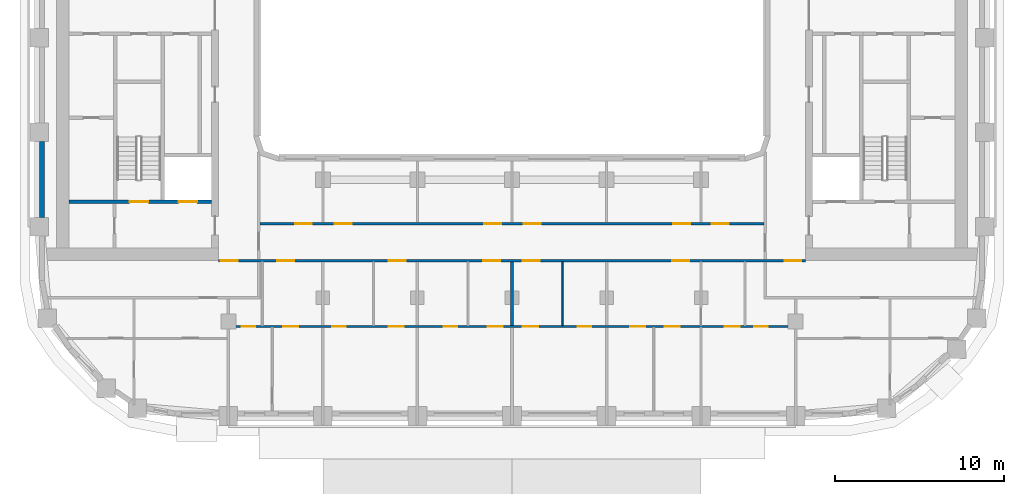
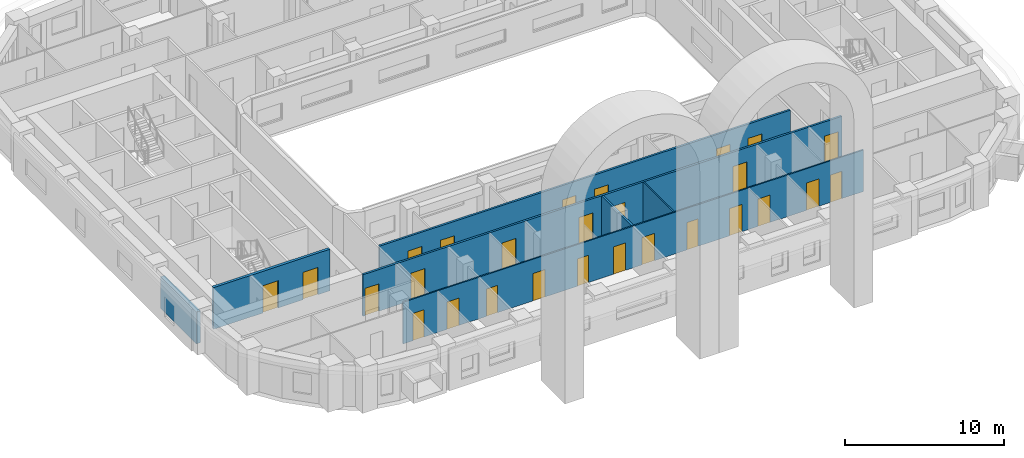
# One storey, part 3 of 18: 27 doors, 7 walls, 27 openings.
"""IFC4 building model written with IfcOpenShell, lengths in metres."""

from ifc_helpers import new_model, si_unit, direction, frame, frame_2d, origin, place, context, subcontext, project, spatial, rectangle, extrude, material, layer, layer_set, type_object, element, fill, save


model = new_model("IFC4")

# Units and contexts
model_context = context("Model", 3, precision=1e-05, world=origin(), true_north=direction((0.0, 1.0)))
body_context = subcontext(model_context, "Body", "Model", "MODEL_VIEW")
ifc_project = project(units=[si_unit("LENGTHUNIT", "METRE"), si_unit("AREAUNIT", "SQUARE_METRE"), si_unit("VOLUMEUNIT", "CUBIC_METRE"), si_unit("PLANEANGLEUNIT", "RADIAN"), si_unit("MASSUNIT", "GRAM", prefix="KILO")], contexts=[model_context])

# Site, building, storey
site_placement = place(None, origin())
site = spatial("IfcSite", under=ifc_project, at=site_placement, CompositionType="ELEMENT")
building_placement = place(site_placement, origin())
building = spatial("IfcBuilding", under=site, at=building_placement, Name="Kiln Ring Residences", CompositionType="ELEMENT")
storey_placement = place(building_placement, frame((0.0, 0.0, 157.10009765625)))
storey = spatial("IfcBuildingStorey", under=building, at=storey_placement, Name="L40", CompositionType="ELEMENT", Elevation=157.10009765625)

# Wall, openings, doors
ifc_material_1 = material(Name="Concrete C40/50", Category="concrete")
ifc_layer_1 = layer(ifc_material_1, 0.199951171875)
ifc_layer_set_1 = layer_set([ifc_layer_1], Name="CORE-WALL-RC200")
wall_type_1 = type_object("IfcWallType", Name="CORE-WALL-RC200", PredefinedType="SHEAR", material=ifc_layer_set_1)
wall_1_placement = place(storey_placement, frame((-17.800048828125, -9.699951171875, 0.0), z_axis=(0.0, 0.0, 1.0), x_axis=(-1.0, 0.0, 0.0)))
wall_1 = element("IfcWall", 1, at=wall_1_placement, inside=storey, type_object=wall_type_1, Name="Core wall west L40 8", PredefinedType="SHEAR", context=body_context, shape_type="SweptSolid", body=[
    extrude(rectangle(XDim=8.449951171875, YDim=0.199951171875, at=frame_2d((4.22509765625, 0.0))), origin(), (0.0, 0.0, 1.0), 3.199951171875),
])
opening_1_placement = place(wall_1_placement, frame((0.85009765625, 0.0, 0.0)))
opening_1 = element("IfcOpeningElement", 2, at=opening_1_placement, cuts=wall_1, Name="Opening L40-CW01", PredefinedType="OPENING", context=body_context, shape_type="SweptSolid", body=[
    extrude(rectangle(XDim=1.10009765625, YDim=2.10009765625, at=frame_2d((0.550048828125, 1.050048828125))), frame((0.0, 0.10986328125, 0.0), z_axis=(0.0, -1.0, 0.0), x_axis=(1.0, 0.0, 0.0)), (0.0, 0.0, 1.0), 0.219970703125),
])
opening_2_placement = place(wall_1_placement, frame((3.75, 0.0, 0.0)))
opening_2 = element("IfcOpeningElement", 3, at=opening_2_placement, cuts=wall_1, Name="Opening L40-CW12", PredefinedType="OPENING", context=body_context, shape_type="SweptSolid", body=[
    extrude(rectangle(XDim=1.10009765625, YDim=2.10009765625, at=frame_2d((0.550048828125, 1.050048828125))), frame((0.0, 0.10986328125, 0.0), z_axis=(0.0, -1.0, 0.0), x_axis=(1.0, 0.0, 0.0)), (0.0, 0.0, 1.0), 0.219970703125),
])
ifc_material_2 = material(Name="Steel door leaf", Category="steel")
door_type_1 = type_object("IfcDoorType", Name="CORE-DOOR-LD", OperationType="DOUBLE_DOOR_SLIDING", PredefinedType="DOOR", material=ifc_material_2)
door_1_placement = place(opening_1_placement, origin())
door_1 = element("IfcDoor", 4, at=door_1_placement, inside=storey, type_object=door_type_1, Name="LD W-SV L40-CW01", OperationType="DOUBLE_DOOR_SLIDING", OverallHeight=2.10009765625, OverallWidth=1.10009765625, PredefinedType="DOOR", context=body_context, shape_type="SweptSolid", body=[
    extrude(rectangle(XDim=1.10009765625, YDim=2.10009765625, at=frame_2d((0.550048828125, 1.050048828125))), frame((0.0, 0.02490234375, 0.0), z_axis=(0.0, -1.0, 0.0), x_axis=(1.0, 0.0, 0.0)), (0.0, 0.0, 1.0), 0.050048828125),
])
fill(opening_1, door_1)
ifc_material_3 = material(Name="Steel door leaf", Category="steel")
door_type_2 = type_object("IfcDoorType", Name="CORE-DOOR-STAIR", OperationType="SINGLE_SWING_LEFT", PredefinedType="DOOR", material=ifc_material_3)
door_2_placement = place(opening_2_placement, origin())
door_2 = element("IfcDoor", 5, at=door_2_placement, inside=storey, type_object=door_type_2, Name="Stair W-STS L40-CW12", OperationType="SINGLE_SWING_LEFT", OverallHeight=2.10009765625, OverallWidth=1.10009765625, PredefinedType="DOOR", context=body_context, shape_type="SweptSolid", body=[
    extrude(rectangle(XDim=1.10009765625, YDim=2.10009765625, at=frame_2d((0.550048828125, 1.050048828125))), frame((0.0, 0.02490234375, 0.0), z_axis=(0.0, -1.0, 0.0), x_axis=(1.0, 0.0, 0.0)), (0.0, 0.0, 1.0), 0.050048828125),
])
fill(opening_2, door_2)

# Wall
ifc_material_4 = material(Name="Brick masonry, dark clay brick", Category="masonry")
ifc_layer_2 = layer(ifc_material_4, 0.300048828125)
ifc_layer_set_2 = layer_set([ifc_layer_2], Name="EW-300 BRICK WALL")
wall_type_2 = type_object("IfcWallType", Name="EW-300 BRICK WALL", PredefinedType="SOLIDWALL", material=ifc_layer_set_2)
wall_2_placement = place(storey_placement, frame((-27.85009765625, -6.14990234375, 0.0), z_axis=(0.0, 0.0, 1.0), x_axis=(0.0, -1.0, 0.0)))
element("IfcWall", 6, at=wall_2_placement, inside=storey, type_object=wall_type_2, Name="Facade wall L40 45", PredefinedType="SOLIDWALL", context=body_context, shape_type="SweptSolid", body=[
    extrude(rectangle(XDim=4.5, YDim=0.300048828125, at=frame_2d((2.25, 0.0))), origin(), (0.0, 0.0, 1.0), 2.449951171875),
])

# Wall, openings, doors
ifc_material_5 = material(Name="Gypsum board on steel studs", Category="steel")
ifc_layer_3 = layer(ifc_material_5, 0.10009765625)
ifc_layer_set_3 = layer_set([ifc_layer_3], Name="PARTITION-100")
wall_type_3 = type_object("IfcWallType", Name="PARTITION-100", PredefinedType="PARTITIONING", material=ifc_layer_set_3)
wall_3_placement = place(storey_placement, frame((-16.72509765625, -17.10009765625, 0.0), z_axis=(0.0, 0.0, 1.0), x_axis=(1.0, 0.0, 0.0)))
wall_3 = element("IfcWall", 7, at=wall_3_placement, inside=storey, type_object=wall_type_3, Name="Partition 002", PredefinedType="PARTITIONING", context=body_context, shape_type="SweptSolid", body=[
    extrude(rectangle(XDim=33.4501953125, YDim=0.10009765625, at=frame_2d((16.72509765625, 0.0))), origin(), (0.0, 0.0, 1.0), 3.199951171875),
])
opening_3_placement = place(wall_3_placement, frame((0.72509765625, 0.0, 0.0)))
opening_3 = element("IfcOpeningElement", 8, at=opening_3_placement, cuts=wall_3, Name="Opening L40-D048", PredefinedType="OPENING", context=body_context, shape_type="SweptSolid", body=[
    extrude(rectangle(XDim=0.800048828125, YDim=2.10009765625, at=frame_2d((0.39990234375, 1.050048828125))), frame((0.0, 0.06005859375, 0.0), z_axis=(0.0, -1.0, 0.0), x_axis=(1.0, 0.0, 0.0)), (0.0, 0.0, 1.0), 0.1201171875),
])
opening_4_placement = place(wall_3_placement, frame((3.175048828125, 0.0, 0.0)))
opening_4 = element("IfcOpeningElement", 9, at=opening_4_placement, cuts=wall_3, Name="Opening L40-D049", PredefinedType="OPENING", context=body_context, shape_type="SweptSolid", body=[
    extrude(rectangle(XDim=0.89990234375, YDim=2.10009765625, at=frame_2d((0.449951171875, 1.050048828125))), frame((0.0, 0.06005859375, 0.0), z_axis=(0.0, -1.0, 0.0), x_axis=(1.0, 0.0, 0.0)), (0.0, 0.0, 1.0), 0.1201171875),
])
opening_5_placement = place(wall_3_placement, frame((6.074951171875, 0.0, 0.0)))
opening_5 = element("IfcOpeningElement", 10, at=opening_5_placement, cuts=wall_3, Name="Opening L40-D052", PredefinedType="OPENING", context=body_context, shape_type="SweptSolid", body=[
    extrude(rectangle(XDim=0.800048828125, YDim=2.10009765625, at=frame_2d((0.39990234375, 1.050048828125))), frame((0.0, 0.06005859375, 0.0), z_axis=(0.0, -1.0, 0.0), x_axis=(1.0, 0.0, 0.0)), (0.0, 0.0, 1.0), 0.1201171875),
])
opening_6_placement = place(wall_3_placement, frame((9.425048828125, 0.0, 0.0)))
opening_6 = element("IfcOpeningElement", 11, at=opening_6_placement, cuts=wall_3, Name="Opening L40-D053", PredefinedType="OPENING", context=body_context, shape_type="SweptSolid", body=[
    extrude(rectangle(XDim=0.89990234375, YDim=2.10009765625, at=frame_2d((0.449951171875, 1.050048828125))), frame((0.0, 0.06005859375, 0.0), z_axis=(0.0, -1.0, 0.0), x_axis=(1.0, 0.0, 0.0)), (0.0, 0.0, 1.0), 0.1201171875),
])
opening_7_placement = place(wall_3_placement, frame((12.675048828125, 0.0, 0.0)))
opening_7 = element("IfcOpeningElement", 12, at=opening_7_placement, cuts=wall_3, Name="Opening L40-D055", PredefinedType="OPENING", context=body_context, shape_type="SweptSolid", body=[
    extrude(rectangle(XDim=0.800048828125, YDim=2.10009765625, at=frame_2d((0.39990234375, 1.050048828125))), frame((0.0, 0.06005859375, 0.0), z_axis=(0.0, -1.0, 0.0), x_axis=(1.0, 0.0, 0.0)), (0.0, 0.0, 1.0), 0.1201171875),
])
opening_8_placement = place(wall_3_placement, frame((15.27490234375, 0.0, 0.0)))
opening_8 = element("IfcOpeningElement", 13, at=opening_8_placement, cuts=wall_3, Name="Opening L40-D056", PredefinedType="OPENING", context=body_context, shape_type="SweptSolid", body=[
    extrude(rectangle(XDim=0.89990234375, YDim=2.10009765625, at=frame_2d((0.449951171875, 1.050048828125))), frame((0.0, 0.06005859375, 0.0), z_axis=(0.0, -1.0, 0.0), x_axis=(1.0, 0.0, 0.0)), (0.0, 0.0, 1.0), 0.1201171875),
])
opening_9_placement = place(wall_3_placement, frame((20.625, 0.0, 0.0)))
opening_9 = element("IfcOpeningElement", 14, at=opening_9_placement, cuts=wall_3, Name="Opening L40-D058", PredefinedType="OPENING", context=body_context, shape_type="SweptSolid", body=[
    extrude(rectangle(XDim=0.800048828125, YDim=2.10009765625, at=frame_2d((0.39990234375, 1.050048828125))), frame((0.0, 0.06005859375, 0.0), z_axis=(0.0, -1.0, 0.0), x_axis=(1.0, 0.0, 0.0)), (0.0, 0.0, 1.0), 0.1201171875),
])
opening_10_placement = place(wall_3_placement, frame((17.375, 0.0, 0.0)))
opening_10 = element("IfcOpeningElement", 15, at=opening_10_placement, cuts=wall_3, Name="Opening L40-D059", PredefinedType="OPENING", context=body_context, shape_type="SweptSolid", body=[
    extrude(rectangle(XDim=0.89990234375, YDim=2.10009765625, at=frame_2d((0.449951171875, 1.050048828125))), frame((0.0, 0.06005859375, 0.0), z_axis=(0.0, -1.0, 0.0), x_axis=(1.0, 0.0, 0.0)), (0.0, 0.0, 1.0), 0.1201171875),
])
opening_11_placement = place(wall_3_placement, frame((31.074951171875, 0.0, 0.0)))
opening_11 = element("IfcOpeningElement", 16, at=opening_11_placement, cuts=wall_3, Name="Opening L40-D062", PredefinedType="OPENING", context=body_context, shape_type="SweptSolid", body=[
    extrude(rectangle(XDim=0.800048828125, YDim=2.10009765625, at=frame_2d((0.39990234375, 1.050048828125))), frame((0.0, 0.06005859375, 0.0), z_axis=(0.0, -1.0, 0.0), x_axis=(1.0, 0.0, 0.0)), (0.0, 0.0, 1.0), 0.1201171875),
])
opening_12_placement = place(wall_3_placement, frame((29.324951171875, 0.0, 0.0)))
opening_12 = element("IfcOpeningElement", 17, at=opening_12_placement, cuts=wall_3, Name="Opening L40-D063", PredefinedType="OPENING", context=body_context, shape_type="SweptSolid", body=[
    extrude(rectangle(XDim=0.89990234375, YDim=2.10009765625, at=frame_2d((0.449951171875, 1.050048828125))), frame((0.0, 0.06005859375, 0.0), z_axis=(0.0, -1.0, 0.0), x_axis=(1.0, 0.0, 0.0)), (0.0, 0.0, 1.0), 0.1201171875),
])
opening_13_placement = place(wall_3_placement, frame((23.72509765625, 0.0, 0.0)))
opening_13 = element("IfcOpeningElement", 18, at=opening_13_placement, cuts=wall_3, Name="Opening L40-D064", PredefinedType="OPENING", context=body_context, shape_type="SweptSolid", body=[
    extrude(rectangle(XDim=0.89990234375, YDim=2.10009765625, at=frame_2d((0.449951171875, 1.050048828125))), frame((0.0, 0.06005859375, 0.0), z_axis=(0.0, -1.0, 0.0), x_axis=(1.0, 0.0, 0.0)), (0.0, 0.0, 1.0), 0.1201171875),
])
opening_14_placement = place(wall_3_placement, frame((25.77490234375, 0.0, 0.0)))
opening_14 = element("IfcOpeningElement", 19, at=opening_14_placement, cuts=wall_3, Name="Opening L40-D065", PredefinedType="OPENING", context=body_context, shape_type="SweptSolid", body=[
    extrude(rectangle(XDim=0.89990234375, YDim=2.10009765625, at=frame_2d((0.449951171875, 1.050048828125))), frame((0.0, 0.06005859375, 0.0), z_axis=(0.0, -1.0, 0.0), x_axis=(1.0, 0.0, 0.0)), (0.0, 0.0, 1.0), 0.1201171875),
])
ifc_material_6 = material(Name="Timber door leaf", Category="wood")
door_type_3 = type_object("IfcDoorType", Name="FLAT-DOOR-800-PL", OperationType="SINGLE_SWING_LEFT", PredefinedType="DOOR", material=ifc_material_6)
door_3_placement = place(opening_3_placement, origin())
door_3 = element("IfcDoor", 20, at=door_3_placement, inside=storey, type_object=door_type_3, Name="Door L40-D048", OperationType="SINGLE_SWING_LEFT", OverallHeight=2.10009765625, OverallWidth=0.800048828125, PredefinedType="DOOR", context=body_context, shape_type="SweptSolid", body=[
    extrude(rectangle(XDim=0.800048828125, YDim=2.10009765625, at=frame_2d((0.39990234375, 1.050048828125))), frame((0.0, 0.02490234375, 0.0), z_axis=(0.0, -1.0, 0.0), x_axis=(1.0, 0.0, 0.0)), (0.0, 0.0, 1.0), 0.050048828125),
])
fill(opening_3, door_3)
door_4_placement = place(opening_5_placement, origin())
door_4 = element("IfcDoor", 21, at=door_4_placement, inside=storey, type_object=door_type_3, Name="Door L40-D052", OperationType="SINGLE_SWING_RIGHT", OverallHeight=2.10009765625, OverallWidth=0.800048828125, PredefinedType="DOOR", context=body_context, shape_type="SweptSolid", body=[
    extrude(rectangle(XDim=0.800048828125, YDim=2.10009765625, at=frame_2d((0.39990234375, 1.050048828125))), frame((0.0, 0.02490234375, 0.0), z_axis=(0.0, -1.0, 0.0), x_axis=(1.0, 0.0, 0.0)), (0.0, 0.0, 1.0), 0.050048828125),
])
fill(opening_5, door_4)
door_5_placement = place(opening_7_placement, origin())
door_5 = element("IfcDoor", 22, at=door_5_placement, inside=storey, type_object=door_type_3, Name="Door L40-D055", OperationType="SINGLE_SWING_LEFT", OverallHeight=2.10009765625, OverallWidth=0.800048828125, PredefinedType="DOOR", context=body_context, shape_type="SweptSolid", body=[
    extrude(rectangle(XDim=0.800048828125, YDim=2.10009765625, at=frame_2d((0.39990234375, 1.050048828125))), frame((0.0, 0.02490234375, 0.0), z_axis=(0.0, -1.0, 0.0), x_axis=(1.0, 0.0, 0.0)), (0.0, 0.0, 1.0), 0.050048828125),
])
fill(opening_7, door_5)
door_6_placement = place(opening_9_placement, origin())
door_6 = element("IfcDoor", 23, at=door_6_placement, inside=storey, type_object=door_type_3, Name="Door L40-D058", OperationType="SINGLE_SWING_RIGHT", OverallHeight=2.10009765625, OverallWidth=0.800048828125, PredefinedType="DOOR", context=body_context, shape_type="SweptSolid", body=[
    extrude(rectangle(XDim=0.800048828125, YDim=2.10009765625, at=frame_2d((0.39990234375, 1.050048828125))), frame((0.0, 0.02490234375, 0.0), z_axis=(0.0, -1.0, 0.0), x_axis=(1.0, 0.0, 0.0)), (0.0, 0.0, 1.0), 0.050048828125),
])
fill(opening_9, door_6)
door_7_placement = place(opening_11_placement, origin())
door_7 = element("IfcDoor", 24, at=door_7_placement, inside=storey, type_object=door_type_3, Name="Door L40-D062", OperationType="SINGLE_SWING_RIGHT", OverallHeight=2.10009765625, OverallWidth=0.800048828125, PredefinedType="DOOR", context=body_context, shape_type="SweptSolid", body=[
    extrude(rectangle(XDim=0.800048828125, YDim=2.10009765625, at=frame_2d((0.39990234375, 1.050048828125))), frame((0.0, 0.02490234375, 0.0), z_axis=(0.0, -1.0, 0.0), x_axis=(1.0, 0.0, 0.0)), (0.0, 0.0, 1.0), 0.050048828125),
])
fill(opening_11, door_7)
ifc_material_7 = material(Name="Timber door leaf", Category="wood")
door_type_4 = type_object("IfcDoorType", Name="FLAT-DOOR-900-PL", OperationType="SINGLE_SWING_LEFT", PredefinedType="DOOR", material=ifc_material_7)
door_8_placement = place(opening_4_placement, origin())
door_8 = element("IfcDoor", 25, at=door_8_placement, inside=storey, type_object=door_type_4, Name="Door L40-D049", OperationType="SINGLE_SWING_LEFT", OverallHeight=2.10009765625, OverallWidth=0.89990234375, PredefinedType="DOOR", context=body_context, shape_type="SweptSolid", body=[
    extrude(rectangle(XDim=0.89990234375, YDim=2.10009765625, at=frame_2d((0.449951171875, 1.050048828125))), frame((0.0, 0.02490234375, 0.0), z_axis=(0.0, -1.0, 0.0), x_axis=(1.0, 0.0, 0.0)), (0.0, 0.0, 1.0), 0.050048828125),
])
fill(opening_4, door_8)
door_9_placement = place(opening_6_placement, origin())
door_9 = element("IfcDoor", 26, at=door_9_placement, inside=storey, type_object=door_type_4, Name="Door L40-D053", OperationType="SINGLE_SWING_LEFT", OverallHeight=2.10009765625, OverallWidth=0.89990234375, PredefinedType="DOOR", context=body_context, shape_type="SweptSolid", body=[
    extrude(rectangle(XDim=0.89990234375, YDim=2.10009765625, at=frame_2d((0.449951171875, 1.050048828125))), frame((0.0, 0.02490234375, 0.0), z_axis=(0.0, -1.0, 0.0), x_axis=(1.0, 0.0, 0.0)), (0.0, 0.0, 1.0), 0.050048828125),
])
fill(opening_6, door_9)
door_10_placement = place(opening_8_placement, origin())
door_10 = element("IfcDoor", 27, at=door_10_placement, inside=storey, type_object=door_type_4, Name="Door L40-D056", OperationType="SINGLE_SWING_RIGHT", OverallHeight=2.10009765625, OverallWidth=0.89990234375, PredefinedType="DOOR", context=body_context, shape_type="SweptSolid", body=[
    extrude(rectangle(XDim=0.89990234375, YDim=2.10009765625, at=frame_2d((0.449951171875, 1.050048828125))), frame((0.0, 0.02490234375, 0.0), z_axis=(0.0, -1.0, 0.0), x_axis=(1.0, 0.0, 0.0)), (0.0, 0.0, 1.0), 0.050048828125),
])
fill(opening_8, door_10)
door_11_placement = place(opening_10_placement, origin())
door_11 = element("IfcDoor", 28, at=door_11_placement, inside=storey, type_object=door_type_4, Name="Door L40-D059", OperationType="SINGLE_SWING_LEFT", OverallHeight=2.10009765625, OverallWidth=0.89990234375, PredefinedType="DOOR", context=body_context, shape_type="SweptSolid", body=[
    extrude(rectangle(XDim=0.89990234375, YDim=2.10009765625, at=frame_2d((0.449951171875, 1.050048828125))), frame((0.0, 0.02490234375, 0.0), z_axis=(0.0, -1.0, 0.0), x_axis=(1.0, 0.0, 0.0)), (0.0, 0.0, 1.0), 0.050048828125),
])
fill(opening_10, door_11)
door_12_placement = place(opening_12_placement, origin())
door_12 = element("IfcDoor", 29, at=door_12_placement, inside=storey, type_object=door_type_4, Name="Door L40-D063", OperationType="SINGLE_SWING_RIGHT", OverallHeight=2.10009765625, OverallWidth=0.89990234375, PredefinedType="DOOR", context=body_context, shape_type="SweptSolid", body=[
    extrude(rectangle(XDim=0.89990234375, YDim=2.10009765625, at=frame_2d((0.449951171875, 1.050048828125))), frame((0.0, 0.02490234375, 0.0), z_axis=(0.0, -1.0, 0.0), x_axis=(1.0, 0.0, 0.0)), (0.0, 0.0, 1.0), 0.050048828125),
])
fill(opening_12, door_12)
door_13_placement = place(opening_13_placement, origin())
door_13 = element("IfcDoor", 30, at=door_13_placement, inside=storey, type_object=door_type_4, Name="Door L40-D064", OperationType="SINGLE_SWING_RIGHT", OverallHeight=2.10009765625, OverallWidth=0.89990234375, PredefinedType="DOOR", context=body_context, shape_type="SweptSolid", body=[
    extrude(rectangle(XDim=0.89990234375, YDim=2.10009765625, at=frame_2d((0.449951171875, 1.050048828125))), frame((0.0, 0.02490234375, 0.0), z_axis=(0.0, -1.0, 0.0), x_axis=(1.0, 0.0, 0.0)), (0.0, 0.0, 1.0), 0.050048828125),
])
fill(opening_13, door_13)
door_14_placement = place(opening_14_placement, origin())
door_14 = element("IfcDoor", 31, at=door_14_placement, inside=storey, type_object=door_type_4, Name="Door L40-D065", OperationType="SINGLE_SWING_LEFT", OverallHeight=2.10009765625, OverallWidth=0.89990234375, PredefinedType="DOOR", context=body_context, shape_type="SweptSolid", body=[
    extrude(rectangle(XDim=0.89990234375, YDim=2.10009765625, at=frame_2d((0.449951171875, 1.050048828125))), frame((0.0, 0.02490234375, 0.0), z_axis=(0.0, -1.0, 0.0), x_axis=(1.0, 0.0, 0.0)), (0.0, 0.0, 1.0), 0.050048828125),
])
fill(opening_14, door_14)

# Wall
wall_4_placement = place(storey_placement, frame((3.0, -17.050048828125, 0.0), z_axis=(0.0, 0.0, 1.0), x_axis=(0.0, 1.0, 0.0)))
element("IfcWall", 32, at=wall_4_placement, inside=storey, type_object=wall_type_3, Name="Partition 049", PredefinedType="PARTITIONING", context=body_context, shape_type="SweptSolid", body=[
    extrude(rectangle(XDim=3.775146484375, YDim=0.10009765625, at=frame_2d((1.8876953125, 0.0))), origin(), (0.0, 0.0, 1.0), 3.199951171875),
])

# Wall, openings, doors
ifc_material_8 = material(Name="Brick masonry partition", Category="masonry")
ifc_layer_4 = layer(ifc_material_8, 0.14990234375)
ifc_layer_set_4 = layer_set([ifc_layer_4], Name="PARTITION-150-ei60")
wall_type_4 = type_object("IfcWallType", Name="PARTITION-150-ei60", PredefinedType="PARTITIONING", material=ifc_layer_set_4)
wall_5_placement = place(storey_placement, frame((-17.39990234375, -13.199951171875, 0.0), z_axis=(0.0, 0.0, 1.0), x_axis=(1.0, 0.0, 0.0)))
wall_5 = element("IfcWall", 33, at=wall_5_placement, inside=storey, type_object=wall_type_4, Name="Partition 005", PredefinedType="PARTITIONING", context=body_context, shape_type="SweptSolid", body=[
    extrude(rectangle(XDim=34.7998046875, YDim=0.14990234375, at=frame_2d((17.39990234375, 0.0))), origin(), (0.0, 0.0, 1.0), 3.199951171875),
])
opening_15_placement = place(wall_5_placement, frame((0.14990234375, 0.0, 0.0)))
opening_15 = element("IfcOpeningElement", 34, at=opening_15_placement, cuts=wall_5, Name="Opening L40-D007", PredefinedType="OPENING", context=body_context, shape_type="SweptSolid", body=[
    extrude(rectangle(XDim=1.0, YDim=2.10009765625, at=frame_2d((0.5, 1.050048828125))), frame((0.0, 0.0849609375, 0.0), z_axis=(0.0, -1.0, 0.0), x_axis=(1.0, 0.0, 0.0)), (0.0, 0.0, 1.0), 0.169921875),
])
opening_16_placement = place(wall_5_placement, frame((33.550048828125, 0.0, 0.0)))
opening_16 = element("IfcOpeningElement", 35, at=opening_16_placement, cuts=wall_5, Name="Opening L40-D008", PredefinedType="OPENING", context=body_context, shape_type="SweptSolid", body=[
    extrude(rectangle(XDim=1.0, YDim=2.10009765625, at=frame_2d((0.5, 1.050048828125))), frame((0.0, 0.0849609375, 0.0), z_axis=(0.0, -1.0, 0.0), x_axis=(1.0, 0.0, 0.0)), (0.0, 0.0, 1.0), 0.169921875),
])
opening_17_placement = place(wall_5_placement, frame((3.5, 0.0, 0.0)))
opening_17 = element("IfcOpeningElement", 36, at=opening_17_placement, cuts=wall_5, Name="Opening L40-D047", PredefinedType="OPENING", context=body_context, shape_type="SweptSolid", body=[
    extrude(rectangle(XDim=1.0, YDim=2.10009765625, at=frame_2d((0.5, 1.050048828125))), frame((0.0, 0.0849609375, 0.0), z_axis=(0.0, -1.0, 0.0), x_axis=(1.0, 0.0, 0.0)), (0.0, 0.0, 1.0), 0.169921875),
])
opening_18_placement = place(wall_5_placement, frame((10.10009765625, 0.0, 0.0)))
opening_18 = element("IfcOpeningElement", 37, at=opening_18_placement, cuts=wall_5, Name="Opening L40-D051", PredefinedType="OPENING", context=body_context, shape_type="SweptSolid", body=[
    extrude(rectangle(XDim=1.0, YDim=2.10009765625, at=frame_2d((0.5, 1.050048828125))), frame((0.0, 0.0849609375, 0.0), z_axis=(0.0, -1.0, 0.0), x_axis=(1.0, 0.0, 0.0)), (0.0, 0.0, 1.0), 0.169921875),
])
opening_19_placement = place(wall_5_placement, frame((15.699951171875, 0.0, 0.0)))
opening_19 = element("IfcOpeningElement", 38, at=opening_19_placement, cuts=wall_5, Name="Opening L40-D054", PredefinedType="OPENING", context=body_context, shape_type="SweptSolid", body=[
    extrude(rectangle(XDim=1.0, YDim=2.10009765625, at=frame_2d((0.5, 1.050048828125))), frame((0.0, 0.0849609375, 0.0), z_axis=(0.0, -1.0, 0.0), x_axis=(1.0, 0.0, 0.0)), (0.0, 0.0, 1.0), 0.169921875),
])
opening_20_placement = place(wall_5_placement, frame((18.050048828125, 0.0, 0.0)))
opening_20 = element("IfcOpeningElement", 39, at=opening_20_placement, cuts=wall_5, Name="Opening L40-D057", PredefinedType="OPENING", context=body_context, shape_type="SweptSolid", body=[
    extrude(rectangle(XDim=1.0, YDim=2.10009765625, at=frame_2d((0.5, 1.050048828125))), frame((0.0, 0.0849609375, 0.0), z_axis=(0.0, -1.0, 0.0), x_axis=(1.0, 0.0, 0.0)), (0.0, 0.0, 1.0), 0.169921875),
])
opening_21_placement = place(wall_5_placement, frame((26.89990234375, 0.0, 0.0)))
opening_21 = element("IfcOpeningElement", 40, at=opening_21_placement, cuts=wall_5, Name="Opening L40-D060", PredefinedType="OPENING", context=body_context, shape_type="SweptSolid", body=[
    extrude(rectangle(XDim=1.0, YDim=2.10009765625, at=frame_2d((0.5, 1.050048828125))), frame((0.0, 0.0849609375, 0.0), z_axis=(0.0, -1.0, 0.0), x_axis=(1.0, 0.0, 0.0)), (0.0, 0.0, 1.0), 0.169921875),
])
ifc_material_9 = material(Name="Steel faced fire door leaf", Category="steel")
door_type_5 = type_object("IfcDoorType", Name="FLAT-DOOR-1000-FR", OperationType="SINGLE_SWING_LEFT", PredefinedType="DOOR", material=ifc_material_9)
door_15_placement = place(opening_15_placement, origin())
door_15 = element("IfcDoor", 41, at=door_15_placement, inside=storey, type_object=door_type_5, Name="Door L40-D007", OperationType="SINGLE_SWING_RIGHT", OverallHeight=2.10009765625, OverallWidth=1.0, PredefinedType="DOOR", context=body_context, shape_type="SweptSolid", body=[
    extrude(rectangle(XDim=1.0, YDim=2.10009765625, at=frame_2d((0.5, 1.050048828125))), frame((0.0, 0.02490234375, 0.0), z_axis=(0.0, -1.0, 0.0), x_axis=(1.0, 0.0, 0.0)), (0.0, 0.0, 1.0), 0.050048828125),
])
fill(opening_15, door_15)
door_16_placement = place(opening_16_placement, origin())
door_16 = element("IfcDoor", 42, at=door_16_placement, inside=storey, type_object=door_type_5, Name="Door L40-D008", OperationType="SINGLE_SWING_LEFT", OverallHeight=2.10009765625, OverallWidth=1.0, PredefinedType="DOOR", context=body_context, shape_type="SweptSolid", body=[
    extrude(rectangle(XDim=1.0, YDim=2.10009765625, at=frame_2d((0.5, 1.050048828125))), frame((0.0, 0.02490234375, 0.0), z_axis=(0.0, -1.0, 0.0), x_axis=(1.0, 0.0, 0.0)), (0.0, 0.0, 1.0), 0.050048828125),
])
fill(opening_16, door_16)
door_17_placement = place(opening_17_placement, origin())
door_17 = element("IfcDoor", 43, at=door_17_placement, inside=storey, type_object=door_type_5, Name="Door L40-D047", OperationType="SINGLE_SWING_LEFT", OverallHeight=2.10009765625, OverallWidth=1.0, PredefinedType="DOOR", context=body_context, shape_type="SweptSolid", body=[
    extrude(rectangle(XDim=1.0, YDim=2.10009765625, at=frame_2d((0.5, 1.050048828125))), frame((0.0, 0.02490234375, 0.0), z_axis=(0.0, -1.0, 0.0), x_axis=(1.0, 0.0, 0.0)), (0.0, 0.0, 1.0), 0.050048828125),
])
fill(opening_17, door_17)
door_18_placement = place(opening_18_placement, origin())
door_18 = element("IfcDoor", 44, at=door_18_placement, inside=storey, type_object=door_type_5, Name="Door L40-D051", OperationType="SINGLE_SWING_LEFT", OverallHeight=2.10009765625, OverallWidth=1.0, PredefinedType="DOOR", context=body_context, shape_type="SweptSolid", body=[
    extrude(rectangle(XDim=1.0, YDim=2.10009765625, at=frame_2d((0.5, 1.050048828125))), frame((0.0, 0.02490234375, 0.0), z_axis=(0.0, -1.0, 0.0), x_axis=(1.0, 0.0, 0.0)), (0.0, 0.0, 1.0), 0.050048828125),
])
fill(opening_18, door_18)
door_19_placement = place(opening_19_placement, origin())
door_19 = element("IfcDoor", 45, at=door_19_placement, inside=storey, type_object=door_type_5, Name="Door L40-D054", OperationType="SINGLE_SWING_RIGHT", OverallHeight=2.10009765625, OverallWidth=1.0, PredefinedType="DOOR", context=body_context, shape_type="SweptSolid", body=[
    extrude(rectangle(XDim=1.0, YDim=2.10009765625, at=frame_2d((0.5, 1.050048828125))), frame((0.0, 0.02490234375, 0.0), z_axis=(0.0, -1.0, 0.0), x_axis=(1.0, 0.0, 0.0)), (0.0, 0.0, 1.0), 0.050048828125),
])
fill(opening_19, door_19)
door_20_placement = place(opening_20_placement, origin())
door_20 = element("IfcDoor", 46, at=door_20_placement, inside=storey, type_object=door_type_5, Name="Door L40-D057", OperationType="SINGLE_SWING_LEFT", OverallHeight=2.10009765625, OverallWidth=1.0, PredefinedType="DOOR", context=body_context, shape_type="SweptSolid", body=[
    extrude(rectangle(XDim=1.0, YDim=2.10009765625, at=frame_2d((0.5, 1.050048828125))), frame((0.0, 0.02490234375, 0.0), z_axis=(0.0, -1.0, 0.0), x_axis=(1.0, 0.0, 0.0)), (0.0, 0.0, 1.0), 0.050048828125),
])
fill(opening_20, door_20)
door_21_placement = place(opening_21_placement, origin())
door_21 = element("IfcDoor", 47, at=door_21_placement, inside=storey, type_object=door_type_5, Name="Door L40-D060", OperationType="SINGLE_SWING_RIGHT", OverallHeight=2.10009765625, OverallWidth=1.0, PredefinedType="DOOR", context=body_context, shape_type="SweptSolid", body=[
    extrude(rectangle(XDim=1.0, YDim=2.10009765625, at=frame_2d((0.5, 1.050048828125))), frame((0.0, 0.02490234375, 0.0), z_axis=(0.0, -1.0, 0.0), x_axis=(1.0, 0.0, 0.0)), (0.0, 0.0, 1.0), 0.050048828125),
])
fill(opening_21, door_21)

wall_6_placement = place(storey_placement, frame((-14.925048828125, -11.0, 0.0), z_axis=(0.0, 0.0, 1.0), x_axis=(1.0, 0.0, 0.0)))
wall_6 = element("IfcWall", 48, at=wall_6_placement, inside=storey, type_object=wall_type_4, Name="Partition 006", PredefinedType="PARTITIONING", context=body_context, shape_type="SweptSolid", body=[
    extrude(rectangle(XDim=29.85009765625, YDim=0.14990234375, at=frame_2d((14.925048828125, 0.0))), origin(), (0.0, 0.0, 1.0), 3.199951171875),
])
opening_22_placement = place(wall_6_placement, frame((2.074951171875, 0.0, 0.0)))
opening_22 = element("IfcOpeningElement", 49, at=opening_22_placement, cuts=wall_6, Name="Opening L40-D041", PredefinedType="OPENING", context=body_context, shape_type="SweptSolid", body=[
    extrude(rectangle(XDim=1.0, YDim=2.10009765625, at=frame_2d((0.5, 1.050048828125))), frame((0.0, 0.0849609375, 0.0), z_axis=(0.0, -1.0, 0.0), x_axis=(1.0, 0.0, 0.0)), (0.0, 0.0, 1.0), 0.169921875),
])
opening_23_placement = place(wall_6_placement, frame((4.425048828125, 0.0, 0.0)))
opening_23 = element("IfcOpeningElement", 50, at=opening_23_placement, cuts=wall_6, Name="Opening L40-D042", PredefinedType="OPENING", context=body_context, shape_type="SweptSolid", body=[
    extrude(rectangle(XDim=1.0, YDim=2.10009765625, at=frame_2d((0.5, 1.050048828125))), frame((0.0, 0.0849609375, 0.0), z_axis=(0.0, -1.0, 0.0), x_axis=(1.0, 0.0, 0.0)), (0.0, 0.0, 1.0), 0.169921875),
])
opening_24_placement = place(wall_6_placement, frame((13.27490234375, 0.0, 0.0)))
opening_24 = element("IfcOpeningElement", 51, at=opening_24_placement, cuts=wall_6, Name="Opening L40-D043", PredefinedType="OPENING", context=body_context, shape_type="SweptSolid", body=[
    extrude(rectangle(XDim=1.0, YDim=2.10009765625, at=frame_2d((0.5, 1.050048828125))), frame((0.0, 0.0849609375, 0.0), z_axis=(0.0, -1.0, 0.0), x_axis=(1.0, 0.0, 0.0)), (0.0, 0.0, 1.0), 0.169921875),
])
opening_25_placement = place(wall_6_placement, frame((15.625, 0.0, 0.0)))
opening_25 = element("IfcOpeningElement", 52, at=opening_25_placement, cuts=wall_6, Name="Opening L40-D044", PredefinedType="OPENING", context=body_context, shape_type="SweptSolid", body=[
    extrude(rectangle(XDim=1.0, YDim=2.10009765625, at=frame_2d((0.5, 1.050048828125))), frame((0.0, 0.0849609375, 0.0), z_axis=(0.0, -1.0, 0.0), x_axis=(1.0, 0.0, 0.0)), (0.0, 0.0, 1.0), 0.169921875),
])
opening_26_placement = place(wall_6_placement, frame((24.47509765625, 0.0, 0.0)))
opening_26 = element("IfcOpeningElement", 53, at=opening_26_placement, cuts=wall_6, Name="Opening L40-D045", PredefinedType="OPENING", context=body_context, shape_type="SweptSolid", body=[
    extrude(rectangle(XDim=1.0, YDim=2.10009765625, at=frame_2d((0.5, 1.050048828125))), frame((0.0, 0.0849609375, 0.0), z_axis=(0.0, -1.0, 0.0), x_axis=(1.0, 0.0, 0.0)), (0.0, 0.0, 1.0), 0.169921875),
])
opening_27_placement = place(wall_6_placement, frame((26.77392578125, 0.0, 0.0)))
opening_27 = element("IfcOpeningElement", 54, at=opening_27_placement, cuts=wall_6, Name="Opening L40-D046", PredefinedType="OPENING", context=body_context, shape_type="SweptSolid", body=[
    extrude(rectangle(XDim=1.0, YDim=2.10009765625, at=frame_2d((0.5, 1.050048828125))), frame((0.0, 0.0849609375, 0.0), z_axis=(0.0, -1.0, 0.0), x_axis=(1.0, 0.0, 0.0)), (0.0, 0.0, 1.0), 0.169921875),
])
door_22_placement = place(opening_22_placement, origin())
door_22 = element("IfcDoor", 55, at=door_22_placement, inside=storey, type_object=door_type_5, Name="Door L40-D041", OperationType="SINGLE_SWING_LEFT", OverallHeight=2.10009765625, OverallWidth=1.0, PredefinedType="DOOR", context=body_context, shape_type="SweptSolid", body=[
    extrude(rectangle(XDim=1.0, YDim=2.10009765625, at=frame_2d((0.5, 1.050048828125))), frame((0.0, 0.02490234375, 0.0), z_axis=(0.0, -1.0, 0.0), x_axis=(1.0, 0.0, 0.0)), (0.0, 0.0, 1.0), 0.050048828125),
])
fill(opening_22, door_22)
door_23_placement = place(opening_23_placement, origin())
door_23 = element("IfcDoor", 56, at=door_23_placement, inside=storey, type_object=door_type_5, Name="Door L40-D042", OperationType="SINGLE_SWING_RIGHT", OverallHeight=2.10009765625, OverallWidth=1.0, PredefinedType="DOOR", context=body_context, shape_type="SweptSolid", body=[
    extrude(rectangle(XDim=1.0, YDim=2.10009765625, at=frame_2d((0.5, 1.050048828125))), frame((0.0, 0.02490234375, 0.0), z_axis=(0.0, -1.0, 0.0), x_axis=(1.0, 0.0, 0.0)), (0.0, 0.0, 1.0), 0.050048828125),
])
fill(opening_23, door_23)
door_24_placement = place(opening_24_placement, origin())
door_24 = element("IfcDoor", 57, at=door_24_placement, inside=storey, type_object=door_type_5, Name="Door L40-D043", OperationType="SINGLE_SWING_LEFT", OverallHeight=2.10009765625, OverallWidth=1.0, PredefinedType="DOOR", context=body_context, shape_type="SweptSolid", body=[
    extrude(rectangle(XDim=1.0, YDim=2.10009765625, at=frame_2d((0.5, 1.050048828125))), frame((0.0, 0.02490234375, 0.0), z_axis=(0.0, -1.0, 0.0), x_axis=(1.0, 0.0, 0.0)), (0.0, 0.0, 1.0), 0.050048828125),
])
fill(opening_24, door_24)
door_25_placement = place(opening_25_placement, origin())
door_25 = element("IfcDoor", 58, at=door_25_placement, inside=storey, type_object=door_type_5, Name="Door L40-D044", OperationType="SINGLE_SWING_RIGHT", OverallHeight=2.10009765625, OverallWidth=1.0, PredefinedType="DOOR", context=body_context, shape_type="SweptSolid", body=[
    extrude(rectangle(XDim=1.0, YDim=2.10009765625, at=frame_2d((0.5, 1.050048828125))), frame((0.0, 0.02490234375, 0.0), z_axis=(0.0, -1.0, 0.0), x_axis=(1.0, 0.0, 0.0)), (0.0, 0.0, 1.0), 0.050048828125),
])
fill(opening_25, door_25)
door_26_placement = place(opening_26_placement, origin())
door_26 = element("IfcDoor", 59, at=door_26_placement, inside=storey, type_object=door_type_5, Name="Door L40-D045", OperationType="SINGLE_SWING_LEFT", OverallHeight=2.10009765625, OverallWidth=1.0, PredefinedType="DOOR", context=body_context, shape_type="SweptSolid", body=[
    extrude(rectangle(XDim=1.0, YDim=2.10009765625, at=frame_2d((0.5, 1.050048828125))), frame((0.0, 0.02490234375, 0.0), z_axis=(0.0, -1.0, 0.0), x_axis=(1.0, 0.0, 0.0)), (0.0, 0.0, 1.0), 0.050048828125),
])
fill(opening_26, door_26)
door_27_placement = place(opening_27_placement, origin())
door_27 = element("IfcDoor", 60, at=door_27_placement, inside=storey, type_object=door_type_5, Name="Door L40-D046", OperationType="SINGLE_SWING_RIGHT", OverallHeight=2.10009765625, OverallWidth=1.0, PredefinedType="DOOR", context=body_context, shape_type="SweptSolid", body=[
    extrude(rectangle(XDim=1.0, YDim=2.10009765625, at=frame_2d((0.5, 1.050048828125))), frame((0.0, 0.02490234375, 0.0), z_axis=(0.0, -1.0, 0.0), x_axis=(1.0, 0.0, 0.0)), (0.0, 0.0, 1.0), 0.050048828125),
])
fill(opening_27, door_27)

# Wall
wall_7_placement = place(storey_placement, frame((0.0, -17.050048828125, 0.0), z_axis=(0.0, 0.0, 1.0), x_axis=(0.0, 1.0, 0.0)))
element("IfcWall", 61, at=wall_7_placement, inside=storey, type_object=wall_type_4, Name="Partition 044", PredefinedType="PARTITIONING", context=body_context, shape_type="SweptSolid", body=[
    extrude(rectangle(XDim=3.775146484375, YDim=0.14990234375, at=frame_2d((1.8876953125, 0.0))), origin(), (0.0, 0.0, 1.0), 3.199951171875),
])

save(model, "model.ifc")
